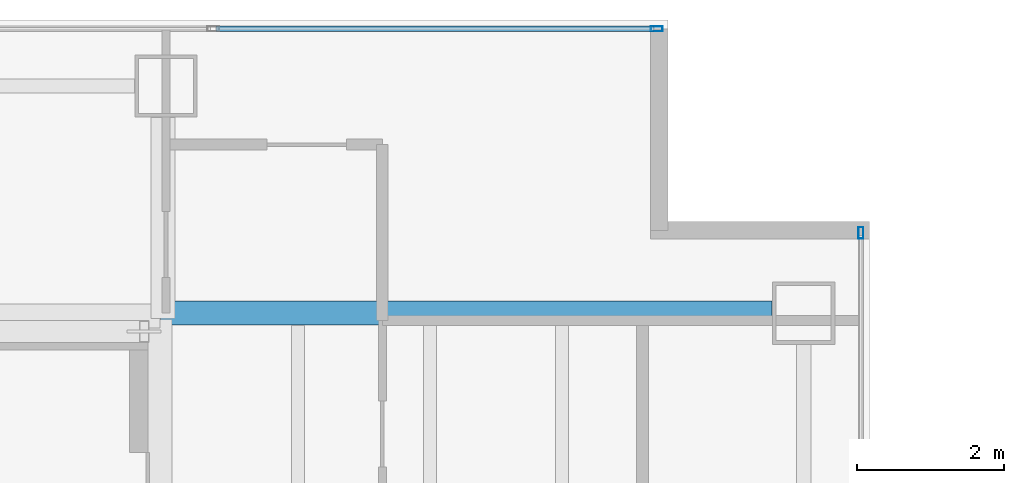
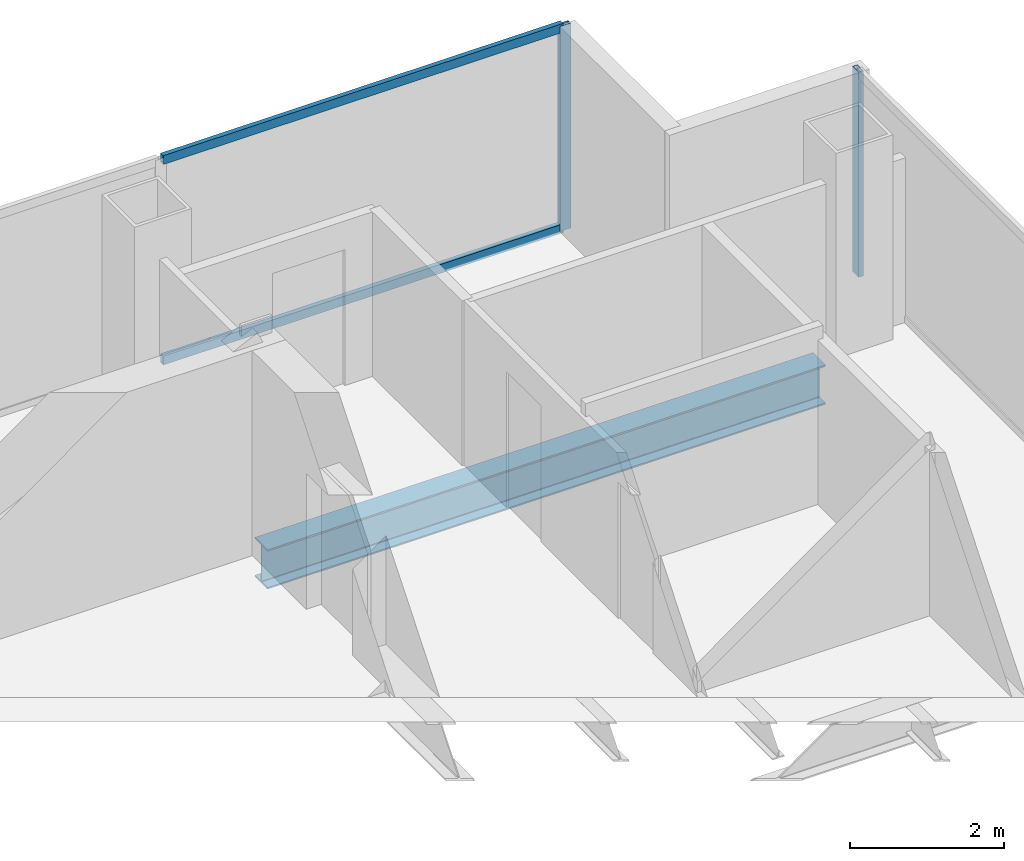
# One storey, part 18 of 23: 4 members, 1 beam, 2 elements without a shape of their own.
"""IFC4 building model written with IfcOpenShell, lengths in metres."""

from ifc_helpers import new_model, si_unit, direction, frame, origin, origin_2d, place, context, subcontext, project, spatial, hollow_rectangle, i_section, extrude, material, material_profile, profile_set, type_object, element, aggregate, save


model = new_model("IFC4")

# Units and contexts
model_context = context("Model", 3, precision=1e-05, world=origin(), true_north=direction((0.0, 1.0)))
body_context = subcontext(model_context, "Body", "Model", "MODEL_VIEW")
ifc_project = project(units=[si_unit("LENGTHUNIT", "METRE"), si_unit("AREAUNIT", "SQUARE_METRE"), si_unit("VOLUMEUNIT", "CUBIC_METRE"), si_unit("PLANEANGLEUNIT", "RADIAN"), si_unit("MASSUNIT", "GRAM", prefix="KILO")], contexts=[model_context])

# Site, building, storey
site_placement = place(None, origin())
site = spatial("IfcSite", under=ifc_project, at=site_placement, CompositionType="ELEMENT")
building_placement = place(site_placement, origin())
building = spatial("IfcBuilding", under=site, at=building_placement, Name="Cobrela Telecom Tower", CompositionType="ELEMENT")
storey_placement = place(building_placement, frame((0.0, 0.0, 180.25)))
storey = spatial("IfcBuildingStorey", under=building, at=storey_placement, Name="L45", CompositionType="ELEMENT", Elevation=180.25)

# Beam
ifc_material_1 = material(Name="Steel ASTM A992 Grade 50", Category="steel")
ifc_material_profile_1 = material_profile(ifc_material_1, i_section(OverallWidth=0.327880859375, OverallDepth=0.6220703125, WebThickness=0.015380859375, FlangeThickness=0.0244140625, FilletRadius=0.014892578125, at=origin_2d()), Name="W24X131")
ifc_profile_set_1 = profile_set([ifc_material_profile_1], Name="Steel ASTM A992 Grade 50")
beam_type = type_object("IfcBeamType", Name="BM-GIRD-06", PredefinedType="USERDEFINED", material=ifc_profile_set_1)
beam_placement = place(storey_placement, frame((14.324951171875, 36.0, -0.571044921875), z_axis=(1.0, 0.0, 0.0), x_axis=(0.0, 1.0, 0.0)))
element("IfcBeam", 1, at=beam_placement, inside=storey, type_object=beam_type, Name="L45 Primary Girder X22", ObjectType="GIRDER", PredefinedType="USERDEFINED", context=body_context, shape_type="SweptSolid", body=[
    extrude(i_section(OverallWidth=0.327880859375, OverallDepth=0.6220703125, WebThickness=0.015380859375, FlangeThickness=0.0244140625, FilletRadius=0.014892578125, at=origin_2d()), origin(), (0.0, 0.0, 1.0), 8.344970703125),
])

# Curtain wall, member
ifc_material_2 = material(Name="Anodized Bronze Aluminium 6063-T6", Category="aluminium")
curtain_wall_type = type_object("IfcCurtainWallType", Name="CW-SYS-OFF-LO", PredefinedType="USERDEFINED", material=ifc_material_2)
curtain_wall_1_placement = place(storey_placement, origin())
curtain_wall_1 = element("IfcCurtainWall", 2, at=curtain_wall_1_placement, inside=storey, type_object=curtain_wall_type, Name="L45 Unitised Bronze Curtain Wall 07", ObjectType="UNITISED CURTAIN WALL", PredefinedType="USERDEFINED")
ifc_material_profile_2 = material_profile(ifc_material_2, hollow_rectangle(XDim=0.070068359375, YDim=0.159912109375, WallThickness=0.00390625, at=origin_2d()), Name="ALU 70x160x4")
ifc_profile_set_2 = profile_set([ifc_material_profile_2], Name="Anodized Bronze Aluminium 6063-T6")
member_type_1 = type_object("IfcMemberType", Name="CW-SYS-OFF-LO-MUL", PredefinedType="MULLION", material=ifc_profile_set_2)
member_1_placement = place(storey_placement, frame((21.094970703125, 39.8798828125, 0.0), z_axis=(0.0, 0.0, 1.0), x_axis=(0.0, 1.0, 0.0)))
member_1 = element("IfcMember", 3, at=member_1_placement, type_object=member_type_1, Name="CW-OFF-LO mullion 4", PredefinedType="MULLION", context=body_context, shape_type="SweptSolid", body=[
    extrude(hollow_rectangle(XDim=0.070068359375, YDim=0.159912109375, WallThickness=0.00390625, at=origin_2d()), origin(), (0.0, 0.0, 1.0), 3.239990234375),
])

curtain_wall_2_placement = place(storey_placement, origin())
curtain_wall_2 = element("IfcCurtainWall", 4, at=curtain_wall_2_placement, inside=storey, type_object=curtain_wall_type, Name="L45 Unitised Bronze Curtain Wall 10", ObjectType="UNITISED CURTAIN WALL", PredefinedType="USERDEFINED")
member_2_placement = place(storey_placement, frame((23.8798828125, 37.094970703125, 0.0), z_axis=(0.0, 0.0, 1.0), x_axis=(1.0, 0.0, 0.0)))
member_2 = element("IfcMember", 5, at=member_2_placement, type_object=member_type_1, Name="CW-OFF-LO mullion 1", PredefinedType="MULLION", context=body_context, shape_type="SweptSolid", body=[
    extrude(hollow_rectangle(XDim=0.070068359375, YDim=0.159912109375, WallThickness=0.00390625, at=origin_2d()), origin(), (0.0, 0.0, 1.0), 3.239990234375),
])
aggregate(curtain_wall_2, [member_2])

# Member
ifc_material_profile_3 = material_profile(ifc_material_2, hollow_rectangle(XDim=0.070068359375, YDim=0.139892578125, WallThickness=0.00390625, at=origin_2d()), Name="ALU 70x140x4")
ifc_profile_set_3 = profile_set([ifc_material_profile_3], Name="Anodized Bronze Aluminium 6063-T6")
member_type_2 = type_object("IfcMemberType", Name="CW-SYS-OFF-LO-TRN", PredefinedType="USERDEFINED", material=ifc_profile_set_3)
member_3_placement = place(storey_placement, frame((15.078369140625, 39.8798828125, 0.034912109375), z_axis=(1.0, 0.0, 0.0), x_axis=(0.0, 1.0, 0.0)))
member_3 = element("IfcMember", 6, at=member_3_placement, type_object=member_type_2, Name="CW-OFF-LO transom 3.1", ObjectType="TRANSOM", PredefinedType="USERDEFINED", context=body_context, shape_type="SweptSolid", body=[
    extrude(hollow_rectangle(XDim=0.070068359375, YDim=0.139892578125, WallThickness=0.00390625, at=origin_2d()), origin(), (0.0, 0.0, 1.0), 5.981689453125),
])

member_4_placement = place(storey_placement, frame((15.078369140625, 39.8798828125, 3.205078125), z_axis=(1.0, 0.0, 0.0), x_axis=(0.0, 1.0, 0.0)))
member_4 = element("IfcMember", 7, at=member_4_placement, type_object=member_type_2, Name="CW-OFF-LO transom 3.2", ObjectType="TRANSOM", PredefinedType="USERDEFINED", context=body_context, shape_type="SweptSolid", body=[
    extrude(hollow_rectangle(XDim=0.070068359375, YDim=0.139892578125, WallThickness=0.00390625, at=origin_2d()), origin(), (0.0, 0.0, 1.0), 5.981689453125),
])

aggregate(curtain_wall_1, [member_1, member_3, member_4])

save(model, "model.ifc")
